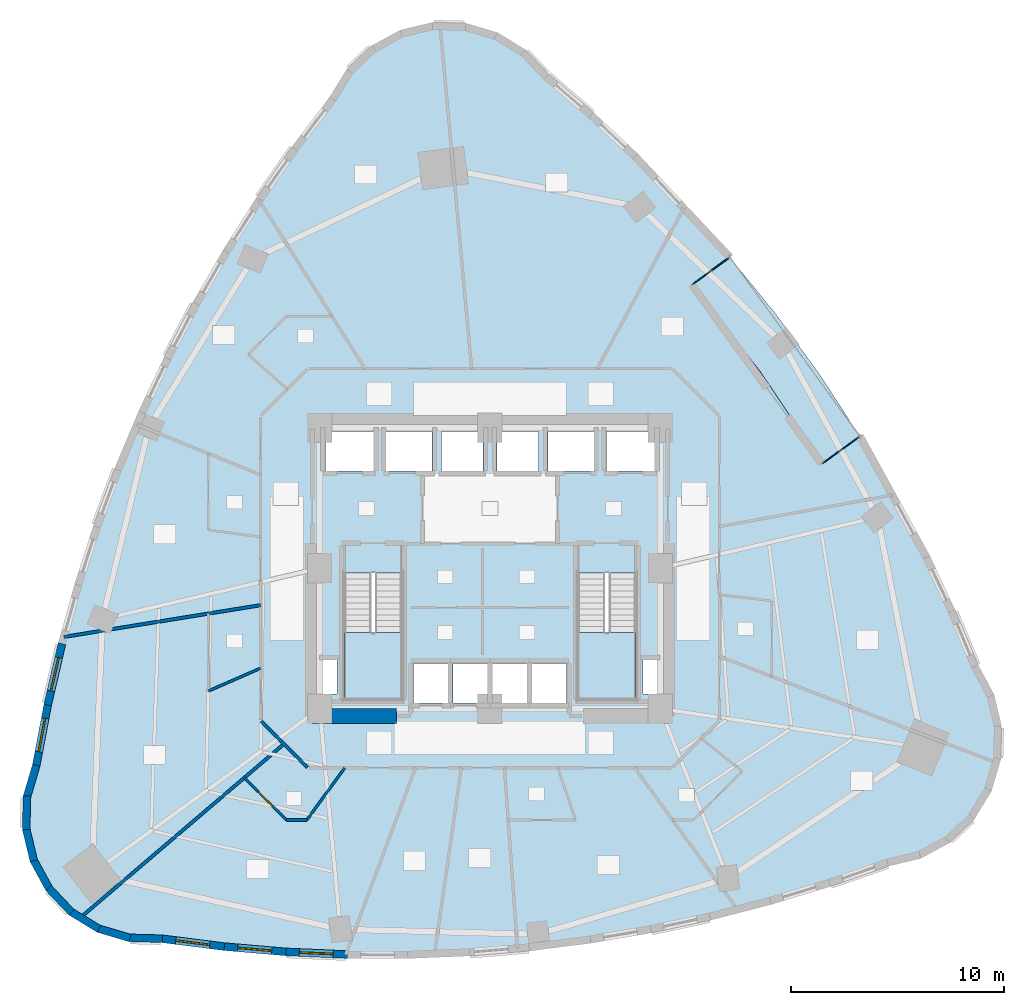
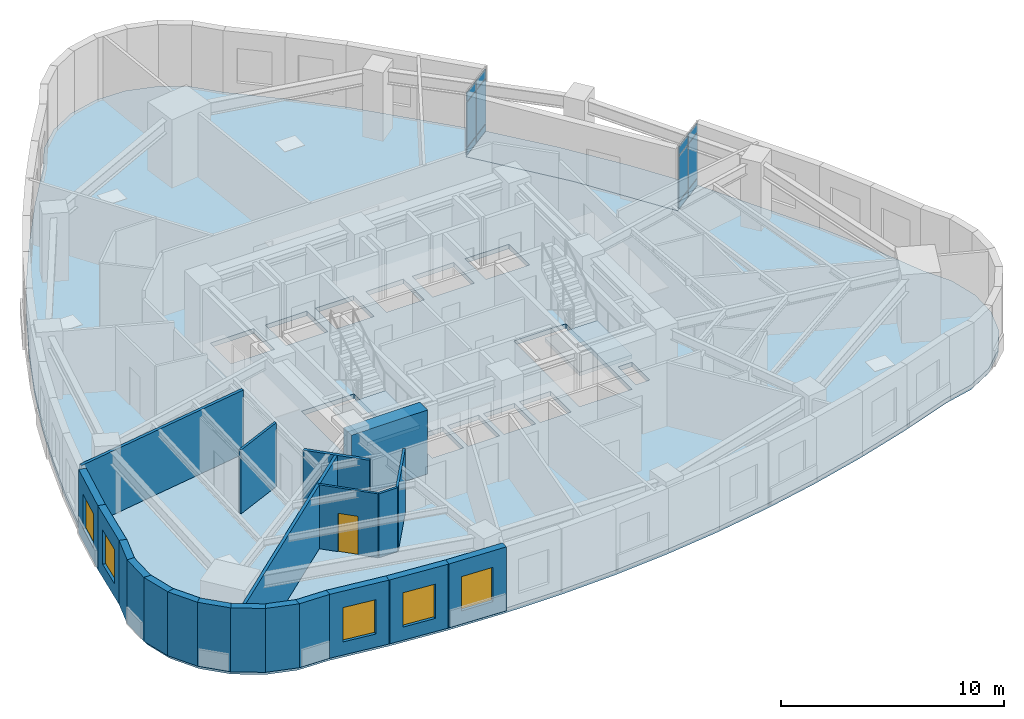
# One storey, part 7 of 15: 21 walls, 12 plates, 5 windows, 4 slabs, 1 door, 6 openings, 4 elements without a shape of their own.
"""IFC4 building model written with IfcOpenShell, lengths in metres."""

import ifcopenshell
import ifcopenshell.guid

model = None  # the IFC model being written
_history = None  # IfcOwnerHistory: only IFC2X3 demands one
_inside = {}  # id of a spatial element -> (the spatial element, [elements in it])
_under = {}  # id of a project, library or spatial element -> (it, [spatial elements below it])
_declared = {}  # id of a project -> (the project, [libraries it declares])
_typed = {}  # id of a type object -> (the type object, [elements of that type])
_made_of = {}  # id of a material, layer set ... -> (it, [elements and type objects made of it])


def new_model(schema):
    """Start an empty IFC model of exactly this schema.

    Asked for "IFC4X3", IfcOpenShell would pick the latest addendum, in which some entities
    have other attributes; the version numbers below select the first issue.
    IFC2X3 requires an IfcOwnerHistory on every rooted entity: one is made here for all.
    """
    global model, _history
    if schema == "IFC4X3":
        model = ifcopenshell.file(schema_version=(4, 3, 0, 0))
    else:
        model = ifcopenshell.file(schema=schema)
    _inside.clear()
    _under.clear()
    _declared.clear()
    _typed.clear()
    _made_of.clear()
    _history = None
    if model.schema == "IFC2X3":
        org = make("IfcOrganization", Name="unknown")
        user = make(
            "IfcPersonAndOrganization",
            ThePerson=make("IfcPerson", FamilyName="unknown"),
            TheOrganization=org,
        )
        app = make(
            "IfcApplication",
            ApplicationDeveloper=org,
            Version="unknown",
            ApplicationFullName="unknown",
            ApplicationIdentifier="unknown",
        )
        _history = make(
            "IfcOwnerHistory",
            OwningUser=user,
            OwningApplication=app,
            ChangeAction="ADDED",
            CreationDate=0,
        )
    return model


def make(cls, **values):
    """One entity of the class cls with the attributes given. An attribute that is None is left unset."""
    return model.create_entity(
        cls, **{name: value for name, value in values.items() if value is not None}
    )


def rooted(cls, **values):
    """An entity with a GlobalId (a new one), such as an element, a storey or a relation."""
    return make(cls, GlobalId=ifcopenshell.guid.new(), OwnerHistory=_history, **values)


def si_unit(unit_type, name, prefix=None):
    """IfcSIUnit, for example si_unit("LENGTHUNIT", "METRE", prefix="MILLI")."""
    return make("IfcSIUnit", UnitType=unit_type, Prefix=prefix, Name=name)


def assignment(units):
    """IfcUnitAssignment: the units of a project."""
    return None if units is None else make("IfcUnitAssignment", Units=units)


def point(xyz):
    """IfcCartesianPoint."""
    return None if xyz is None else make("IfcCartesianPoint", Coordinates=xyz)


def direction(xyz):
    """IfcDirection."""
    return None if xyz is None else make("IfcDirection", DirectionRatios=xyz)


def frame(location, z_axis=None, x_axis=None):
    """IfcAxis2Placement3D, a coordinate frame: its origin and axes. An axis left out is left unset."""
    return make(
        "IfcAxis2Placement3D",
        Location=point(location),
        Axis=direction(z_axis),
        RefDirection=direction(x_axis),
    )


def frame_2d(location, x_axis=None):
    """IfcAxis2Placement2D, a coordinate frame in the plane: its origin and x axis."""
    return make(
        "IfcAxis2Placement2D", Location=point(location), RefDirection=direction(x_axis)
    )


def origin():
    """The frame at (0, 0, 0) with its axes left unset."""
    return frame((0.0, 0.0, 0.0))


def origin_2d():
    """The frame at (0, 0) in the plane with its x axis left unset."""
    return frame_2d((0.0, 0.0))


def place(relative_to, where):
    """IfcLocalPlacement: puts the frame where relative to a parent placement (None: the world)."""
    return make(
        "IfcLocalPlacement", PlacementRelTo=relative_to, RelativePlacement=where
    )


def context(
    kind, dimensions, precision=None, world=None, true_north=None, identifier=None
):
    """IfcGeometricRepresentationContext, for example the 3D "Model" context."""
    return make(
        "IfcGeometricRepresentationContext",
        ContextIdentifier=identifier,
        ContextType=kind,
        CoordinateSpaceDimension=dimensions,
        Precision=precision,
        WorldCoordinateSystem=world,
        TrueNorth=true_north,
    )


def subcontext(parent, identifier, kind, view, scale=None):
    """IfcGeometricRepresentationSubContext, for example "Body" below "Model"."""
    return make(
        "IfcGeometricRepresentationSubContext",
        ContextIdentifier=identifier,
        ContextType=kind,
        ParentContext=parent,
        TargetScale=scale,
        TargetView=view,
    )


def project(units=None, contexts=None):
    """IfcProject with its units and contexts."""
    return rooted(
        "IfcProject",
        Name="project",
        RepresentationContexts=contexts,
        UnitsInContext=assignment(units),
    )


def spatial(cls, under=None, at=None, **own):
    """A site, building, storey or space (cls), placed at a placement, below another one or the project."""
    s = rooted(cls, ObjectPlacement=at, **own)
    if under is not None:
        _under.setdefault(under.id(), (under, []))[1].append(s)
    return s


def polyline(points):
    """IfcPolyline through the points."""
    return make("IfcPolyline", Points=[point(p) for p in points])


def profile(cls, at=None, kind="AREA", **sizes):
    """A parametric profile (cls). Its sizes go by their IFC names, for example OverallWidth=200.0."""
    return make(cls, ProfileType=kind, Position=at, **sizes)


def rectangle(**sizes):
    """IfcRectangleProfileDef."""
    return profile("IfcRectangleProfileDef", **sizes)


def outline(outer, holes=None, kind="AREA"):
    """IfcArbitraryClosedProfileDef: a profile drawn as a closed curve; with holes, ...WithVoids."""
    if holes is None:
        return make("IfcArbitraryClosedProfileDef", ProfileType=kind, OuterCurve=outer)
    return make(
        "IfcArbitraryProfileDefWithVoids",
        ProfileType=kind,
        OuterCurve=outer,
        InnerCurves=holes,
    )


def extrude(swept, where, along, depth):
    """IfcExtrudedAreaSolid: the profile swept, set in the frame where, extruded along a direction by depth."""
    return make(
        "IfcExtrudedAreaSolid",
        SweptArea=swept,
        Position=where,
        ExtrudedDirection=direction(along),
        Depth=depth,
    )


def shape(context_of_items, identifier, shape_type, items):
    """IfcShapeRepresentation: the items that make up one representation, for example the "Body"."""
    return make(
        "IfcShapeRepresentation",
        ContextOfItems=context_of_items,
        RepresentationIdentifier=identifier,
        RepresentationType=shape_type,
        Items=items,
    )


def material(Name=None, Category=None):
    """IfcMaterial."""
    return make("IfcMaterial", Name=Name, Category=Category)


def layer(
    of_material, thickness, ventilated=None, Name=None, Category=None, Priority=None
):
    """IfcMaterialLayer: one layer of a wall or slab, of a material (None: an air gap)."""
    return make(
        "IfcMaterialLayer",
        Material=of_material,
        LayerThickness=thickness,
        IsVentilated=ventilated,
        Name=Name,
        Category=Category,
        Priority=Priority,
    )


def layer_set(layers, Name=None):
    """IfcMaterialLayerSet."""
    return make("IfcMaterialLayerSet", MaterialLayers=layers, LayerSetName=Name)


def made_of(thing, what):
    """Note that an element or type object is made of a material, layer set ...; save() writes the relation."""
    if what is not None:
        _made_of.setdefault(what.id(), (what, []))[1].append(thing)
    return thing


def type_object(cls, material=None, **own):
    """A type object (cls), such as IfcWallType, which elements share."""
    return made_of(rooted(cls, **own), material)


def element(
    cls,
    number,
    at=None,
    inside=None,
    cuts=None,
    type_object=None,
    material=None,
    context=None,
    identifier="Body",
    shape_type=None,
    held_by="IfcProductDefinitionShape",
    body=None,
    shapes=None,
    **own,
):
    """One element of the class cls, such as IfcWall. Its Tag is "e" and its number.

    at: its placement. inside: the storey or other place that contains it. cuts: it is an
    opening in that element (IfcRelVoidsElement). A single representation is given by context,
    identifier, shape_type and body (its items); several are given by shapes. held_by: the class
    of the entity that holds the representations. save() writes the other relations.
    """
    e = rooted(cls, Tag="e%d" % number, ObjectPlacement=at, **own)
    if body is not None:
        shapes = [shape(context, identifier, shape_type, body)]
    if shapes is not None:
        e.Representation = make(held_by, Representations=shapes)
    if inside is not None:
        _inside.setdefault(inside.id(), (inside, []))[1].append(e)
    if cuts is not None:
        rooted(
            "IfcRelVoidsElement", RelatingBuildingElement=cuts, RelatedOpeningElement=e
        )
    if type_object is not None:
        _typed.setdefault(type_object.id(), (type_object, []))[1].append(e)
    return made_of(e, material)


def fill(opening, filler):
    """IfcRelFillsElement: the door or window that sits in an opening."""
    return rooted(
        "IfcRelFillsElement",
        RelatingOpeningElement=opening,
        RelatedBuildingElement=filler,
    )


def aggregate(whole, parts):
    """IfcRelAggregates: a whole, such as a stair, and the parts it consists of."""
    return rooted("IfcRelAggregates", RelatingObject=whole, RelatedObjects=parts)


def save(model, path):
    """Write the relations noted so far, then the file.

    IfcRelAggregates (storeys below a building ...), IfcRelContainedInSpatialStructure (elements
    in a storey), IfcRelDefinesByType, IfcRelAssociatesMaterial and IfcRelDeclares: one each for
    every whole, place, type object, material and project.
    """
    for whole, parts in _under.values():
        aggregate(whole, parts)
    for where, things in _inside.values():
        rooted(
            "IfcRelContainedInSpatialStructure",
            RelatedElements=things,
            RelatingStructure=where,
        )
    for kind, things in _typed.values():
        rooted("IfcRelDefinesByType", RelatedObjects=things, RelatingType=kind)
    for what, things in _made_of.values():
        rooted("IfcRelAssociatesMaterial", RelatedObjects=things, RelatingMaterial=what)
    for by, libraries in _declared.values():
        rooted("IfcRelDeclares", RelatingContext=by, RelatedDefinitions=libraries)
    model.write(path)


model = new_model("IFC4")

# Units and contexts
model_context = context("Model", 3, precision=1e-05, world=origin(), true_north=direction((0.0, 1.0)))
body_context = subcontext(model_context, "Body", "Model", "MODEL_VIEW")
ifc_project = project(units=[si_unit("LENGTHUNIT", "METRE"), si_unit("AREAUNIT", "SQUARE_METRE"), si_unit("VOLUMEUNIT", "CUBIC_METRE"), si_unit("PLANEANGLEUNIT", "RADIAN"), si_unit("MASSUNIT", "GRAM", prefix="KILO")], contexts=[model_context])

# Site, building, storey
site_placement = place(None, origin())
site = spatial("IfcSite", under=ifc_project, at=site_placement, CompositionType="ELEMENT")
building_placement = place(site_placement, origin())
building = spatial("IfcBuilding", under=site, at=building_placement, Name="Ndelora Gate Hotel", CompositionType="ELEMENT")
storey_placement = place(building_placement, frame((0.0, 0.0, 53.0)))
storey = spatial("IfcBuildingStorey", under=building, at=storey_placement, Name="L12", CompositionType="ELEMENT", Elevation=53.0)

# Curtain wall, plates
ifc_material_1 = material(Name="Bronze Anodised Unitised Aluminium and Low-E Glass", Category="aluminium")
ifc_layer_1 = layer(ifc_material_1, 0.199951171875)
ifc_layer_set_1 = layer_set([ifc_layer_1], Name="Bronze Anodised Unitised Aluminium and Low-E Glass")
curtain_wall_type = type_object("IfcCurtainWallType", Name="CW-SYS-3", PredefinedType="NOTDEFINED", material=ifc_layer_set_1)
curtain_wall_1_placement = place(storey_placement, origin())
curtain_wall_1 = element("IfcCurtainWall", 1, at=curtain_wall_1_placement, inside=storey, type_object=curtain_wall_type, Name="L12 Sky-Garden Loggia Side Curtain Wall CW3-1", PredefinedType="NOTDEFINED")
ifc_material_2 = material(Name="Solar-Control Low-E Insulated Glazing", Category="glass")
ifc_layer_2 = layer(ifc_material_2, 0.048095703125)
ifc_layer_set_2 = layer_set([ifc_layer_2], Name="Solar-Control Low-E Insulated Glazing")
plate_type = type_object("IfcPlateType", Name="PL-CW-GLZ36", PredefinedType="CURTAIN_PANEL", material=ifc_layer_set_2)
plate_1_placement = place(storey_placement, frame((16.055908203125, 5.237548828125, 0.05908203125), z_axis=(0.0, 0.0, 1.0), x_axis=(0.809017078969, 0.587785135859, 0.0)))
plate_1 = element("IfcPlate", 2, at=plate_1_placement, type_object=plate_type, Name="CW3 panel 1.1", PredefinedType="CURTAIN_PANEL", context=body_context, shape_type="SweptSolid", body=[
    extrude(rectangle(XDim=1.014404296875, YDim=0.048095703125, at=origin_2d()), origin(), (0.0, 0.0, 1.0), 0.364501953125),
])
plate_2_placement = place(storey_placement, frame((16.055908203125, 5.237548828125, 0.4765625), z_axis=(0.0, 0.0, 1.0), x_axis=(0.809017078969, 0.587785135859, 0.0)))
plate_2 = element("IfcPlate", 3, at=plate_2_placement, type_object=plate_type, Name="CW3 panel 1.2", PredefinedType="CURTAIN_PANEL", context=body_context, shape_type="SweptSolid", body=[
    extrude(rectangle(XDim=1.014404296875, YDim=0.048095703125, at=origin_2d()), origin(), (0.0, 0.0, 1.0), 2.447021484375),
])
plate_3_placement = place(storey_placement, frame((16.055908203125, 5.237548828125, 2.9765625), z_axis=(0.0, 0.0, 1.0), x_axis=(0.809017078969, 0.587785135859, 0.0)))
plate_3 = element("IfcPlate", 4, at=plate_3_placement, type_object=plate_type, Name="CW3 panel 1.3", PredefinedType="CURTAIN_PANEL", context=body_context, shape_type="SweptSolid", body=[
    extrude(rectangle(XDim=1.014404296875, YDim=0.048095703125, at=origin_2d()), origin(), (0.0, 0.0, 1.0), 0.464599609375),
])
plate_4_placement = place(storey_placement, frame((16.91943359375, 5.864990234375, 0.05908203125), z_axis=(0.0, 0.0, 1.0), x_axis=(0.809017078969, 0.587785135859, 0.0)))
plate_4 = element("IfcPlate", 5, at=plate_4_placement, type_object=plate_type, Name="CW3 panel 2.1", PredefinedType="CURTAIN_PANEL", context=body_context, shape_type="SweptSolid", body=[
    extrude(rectangle(XDim=1.014404296875, YDim=0.048095703125, at=origin_2d()), origin(), (0.0, 0.0, 1.0), 0.364501953125),
])
plate_5_placement = place(storey_placement, frame((16.91943359375, 5.864990234375, 0.4765625), z_axis=(0.0, 0.0, 1.0), x_axis=(0.809017078969, 0.587785135859, 0.0)))
plate_5 = element("IfcPlate", 6, at=plate_5_placement, type_object=plate_type, Name="CW3 panel 2.2", PredefinedType="CURTAIN_PANEL", context=body_context, shape_type="SweptSolid", body=[
    extrude(rectangle(XDim=1.014404296875, YDim=0.048095703125, at=origin_2d()), origin(), (0.0, 0.0, 1.0), 2.447021484375),
])
plate_6_placement = place(storey_placement, frame((16.91943359375, 5.864990234375, 2.9765625), z_axis=(0.0, 0.0, 1.0), x_axis=(0.809017078969, 0.587785135859, 0.0)))
plate_6 = element("IfcPlate", 7, at=plate_6_placement, type_object=plate_type, Name="CW3 panel 2.3", PredefinedType="CURTAIN_PANEL", context=body_context, shape_type="SweptSolid", body=[
    extrude(rectangle(XDim=1.014404296875, YDim=0.048095703125, at=origin_2d()), origin(), (0.0, 0.0, 1.0), 0.464599609375),
])
aggregate(curtain_wall_1, [plate_1, plate_2, plate_3, plate_4, plate_5, plate_6])

curtain_wall_2_placement = place(storey_placement, origin())
curtain_wall_2 = element("IfcCurtainWall", 8, at=curtain_wall_2_placement, inside=storey, type_object=curtain_wall_type, Name="L12 Sky-Garden Loggia Side Curtain Wall CW3-2", PredefinedType="NOTDEFINED")
plate_7_placement = place(storey_placement, frame((10.806396484375, 14.27880859375, 0.05908203125), z_axis=(0.0, 0.0, 1.0), x_axis=(-0.809017078969, -0.587785135859, 0.0)))
plate_7 = element("IfcPlate", 9, at=plate_7_placement, type_object=plate_type, Name="CW3 panel 1.1", PredefinedType="CURTAIN_PANEL", context=body_context, shape_type="SweptSolid", body=[
    extrude(rectangle(XDim=1.014404296875, YDim=0.048095703125, at=origin_2d()), origin(), (0.0, 0.0, 1.0), 0.364501953125),
])
plate_8_placement = place(storey_placement, frame((10.806396484375, 14.27880859375, 0.4765625), z_axis=(0.0, 0.0, 1.0), x_axis=(-0.809017078969, -0.587785135859, 0.0)))
plate_8 = element("IfcPlate", 10, at=plate_8_placement, type_object=plate_type, Name="CW3 panel 1.2", PredefinedType="CURTAIN_PANEL", context=body_context, shape_type="SweptSolid", body=[
    extrude(rectangle(XDim=1.014404296875, YDim=0.048095703125, at=origin_2d()), origin(), (0.0, 0.0, 1.0), 2.447021484375),
])
plate_9_placement = place(storey_placement, frame((10.806396484375, 14.27880859375, 2.9765625), z_axis=(0.0, 0.0, 1.0), x_axis=(-0.809017078969, -0.587785135859, 0.0)))
plate_9 = element("IfcPlate", 11, at=plate_9_placement, type_object=plate_type, Name="CW3 panel 1.3", PredefinedType="CURTAIN_PANEL", context=body_context, shape_type="SweptSolid", body=[
    extrude(rectangle(XDim=1.014404296875, YDim=0.048095703125, at=origin_2d()), origin(), (0.0, 0.0, 1.0), 0.464599609375),
])
plate_10_placement = place(storey_placement, frame((9.94287109375, 13.6513671875, 0.05908203125), z_axis=(0.0, 0.0, 1.0), x_axis=(-0.809017078969, -0.587785135859, 0.0)))
plate_10 = element("IfcPlate", 12, at=plate_10_placement, type_object=plate_type, Name="CW3 panel 2.1", PredefinedType="CURTAIN_PANEL", context=body_context, shape_type="SweptSolid", body=[
    extrude(rectangle(XDim=1.014404296875, YDim=0.048095703125, at=origin_2d()), origin(), (0.0, 0.0, 1.0), 0.364501953125),
])
plate_11_placement = place(storey_placement, frame((9.94287109375, 13.6513671875, 0.4765625), z_axis=(0.0, 0.0, 1.0), x_axis=(-0.809017078969, -0.587785135859, 0.0)))
plate_11 = element("IfcPlate", 13, at=plate_11_placement, type_object=plate_type, Name="CW3 panel 2.2", PredefinedType="CURTAIN_PANEL", context=body_context, shape_type="SweptSolid", body=[
    extrude(rectangle(XDim=1.014404296875, YDim=0.048095703125, at=origin_2d()), origin(), (0.0, 0.0, 1.0), 2.447021484375),
])
plate_12_placement = place(storey_placement, frame((9.94287109375, 13.6513671875, 2.9765625), z_axis=(0.0, 0.0, 1.0), x_axis=(-0.809017078969, -0.587785135859, 0.0)))
plate_12 = element("IfcPlate", 14, at=plate_12_placement, type_object=plate_type, Name="CW3 panel 2.3", PredefinedType="CURTAIN_PANEL", context=body_context, shape_type="SweptSolid", body=[
    extrude(rectangle(XDim=1.014404296875, YDim=0.048095703125, at=origin_2d()), origin(), (0.0, 0.0, 1.0), 0.464599609375),
])
aggregate(curtain_wall_2, [plate_7, plate_8, plate_9, plate_10, plate_11, plate_12])

# Stair, slab
ifc_material_3 = material(Name="Precast concrete C40/50", Category="concrete")
stair_type = type_object("IfcStairType", Name="STR-DOG-CORE", PredefinedType="HALF_TURN_STAIR", material=ifc_material_3)
stair_1_placement = place(storey_placement, origin())
stair_1 = element("IfcStair", 15, at=stair_1_placement, inside=storey, type_object=stair_type, Name="L12 Protected Core Exit Stair ST4", PredefinedType="HALF_TURN_STAIR")
ifc_layer_3 = layer(ifc_material_3, 0.219970703125)
ifc_layer_set_3 = layer_set([ifc_layer_3], Name="Precast concrete C40/50")
slab_type_1 = type_object("IfcSlabType", Name="SL-LAND-220", PredefinedType="LANDING", material=ifc_layer_set_3)
slab_1_placement = place(storey_placement, frame((0.0, 0.0, 1.675048828125)))
slab_1 = element("IfcSlab", 16, at=slab_1_placement, type_object=slab_type_1, Name="ST4 landing 1", PredefinedType="LANDING", context=body_context, shape_type="SweptSolid", body=[
    extrude(outline(polyline([(-6.85009765625, -3.030029296875), (-6.85009765625, -6.14990234375), (-4.1298828125, -6.14990234375), (-4.1298828125, -3.030029296875), (-6.85009765625, -3.030029296875)])), origin(), (0.0, 0.0, 1.0), 0.199951171875),
])
aggregate(stair_1, [slab_1])

stair_2_placement = place(storey_placement, origin())
stair_2 = element("IfcStair", 17, at=stair_2_placement, inside=storey, type_object=stair_type, Name="L12 Protected Core Exit Stair ST5", PredefinedType="HALF_TURN_STAIR")
slab_2_placement = place(storey_placement, frame((0.0, 0.0, 1.675048828125)))
slab_2 = element("IfcSlab", 18, at=slab_2_placement, type_object=slab_type_1, Name="ST5 landing 1", PredefinedType="LANDING", context=body_context, shape_type="SweptSolid", body=[
    extrude(outline(polyline([(4.1298828125, -3.030029296875), (4.1298828125, -6.14990234375), (6.85009765625, -6.14990234375), (6.85009765625, -3.030029296875), (4.1298828125, -3.030029296875)])), origin(), (0.0, 0.0, 1.0), 0.199951171875),
])
aggregate(stair_2, [slab_2])

# Slabs
ifc_layer_4 = layer(ifc_material_3, 0.239990234375)
ifc_layer_set_4 = layer_set([ifc_layer_4], Name="Precast concrete C40/50")
slab_type_2 = type_object("IfcSlabType", Name="SL-TER-240", PredefinedType="FLOOR", material=ifc_layer_set_4)
slab_3_placement = place(storey_placement, frame((0.0, 0.0, -0.239990234375)))
element("IfcSlab", 19, at=slab_3_placement, inside=storey, type_object=slab_type_2, Name="L12 Sky Garden Loggia Terrace Slab", PredefinedType="FLOOR", context=body_context, shape_type="SweptSolid", body=[
    extrude(outline(polyline([(15.59765625, 4.90478515625), (17.37744140625, 6.197998046875), (15.5048828125, 9.07958984375), (13.426513671875, 11.940185546875), (11.264404296875, 14.61181640625), (9.484619140625, 13.318603515625), (12.70458984375, 9.23046875), (15.59765625, 4.90478515625)])), origin(), (0.0, 0.0, 1.0), 0.239990234375),
])
ifc_material_4 = material(Name="Concrete C40/50", Category="concrete")
ifc_layer_5 = layer(ifc_material_4, 0.25)
ifc_layer_set_5 = layer_set([ifc_layer_5], Name="Concrete C40/50")
slab_type_3 = type_object("IfcSlabType", Name="SL-TWR-250", PredefinedType="FLOOR", material=ifc_layer_set_5)
slab_4_placement = place(storey_placement, frame((0.0, 0.0, -0.25)))
element("IfcSlab", 20, at=slab_4_placement, inside=storey, type_object=slab_type_3, Name="L12 Structural Floor Slab", PredefinedType="FLOOR", context=body_context, shape_type="SweptSolid", body=[
    extrude(outline(polyline([(2.621826171875, 23.1083984375), (1.57958984375, 24.206787109375), (0.28857421875, 24.997802734375), (-1.1630859375, 25.427978515625), (-2.6767578125, 25.467529296875), (-4.14892578125, 25.114013671875), (-5.4794921875, 24.3916015625), (-6.577880859375, 23.349365234375), (-7.368896484375, 22.058349609375), (-9.14599609375, 19.719970703125), (-10.811279296875, 17.331787109375), (-12.364990234375, 14.89404296875), (-13.806884765625, 12.406494140625), (-15.137451171875, 9.869140625), (-16.356201171875, 7.2822265625), (-17.463134765625, 4.6455078125), (-18.45849609375, 1.958984375), (-19.34228515625, -0.777099609375), (-20.1142578125, -3.56298828125), (-20.774658203125, -6.3984375), (-21.323486328125, -9.28369140625), (-21.75341796875, -10.7353515625), (-21.793212890625, -12.2490234375), (-21.439697265625, -13.72119140625), (-20.71728515625, -15.052001953125), (-19.6748046875, -16.150146484375), (-18.384033203125, -16.94140625), (-16.93212890625, -17.371337890625), (-15.418701171875, -17.410888671875), (-12.5048828125, -17.78076171875), (-9.604248046875, -18.02880859375), (-6.716064453125, -18.155517578125), (-3.8408203125, -18.160400390625), (-0.978271484375, -18.0439453125), (1.87158203125, -17.805908203125), (4.70849609375, -17.4462890625), (7.53271484375, -16.965087890625), (10.343994140625, -16.3623046875), (13.142578125, -15.637939453125), (15.9287109375, -14.792236328125), (18.70166015625, -13.82470703125), (20.173828125, -13.47119140625), (21.50439453125, -12.748779296875), (22.602783203125, -11.70654296875), (23.393798828125, -10.415771484375), (23.823974609375, -8.9638671875), (23.863525390625, -7.4501953125), (23.510009765625, -5.97802734375), (22.78759765625, -4.6474609375), (21.698486328125, -2.04638671875), (20.51806640625, 0.48876953125), (17.37744140625, 6.197998046875), (15.59765625, 4.90478515625), (12.70458984375, 9.23046875), (9.484619140625, 13.318603515625), (11.264404296875, 14.61181640625), (6.80517578125, 19.36279296875), (4.759033203125, 21.268798828125), (2.621826171875, 23.1083984375)]), holes=[polyline([(-6.85009765625, -0.22998046875), (-6.85009765625, -6.14990234375), (-4.1298828125, -6.14990234375), (-4.1298828125, -0.22998046875), (-6.85009765625, -0.22998046875)]), polyline([(4.1298828125, -0.22998046875), (4.1298828125, -6.14990234375), (6.85009765625, -6.14990234375), (6.85009765625, -0.22998046875), (4.1298828125, -0.22998046875)]), polyline([(-7.72998046875, 4.570068359375), (-5.469970703125, 4.570068359375), (-5.469970703125, 6.429931640625), (-7.72998046875, 6.429931640625), (-7.72998046875, 4.570068359375)]), polyline([(5.469970703125, 4.570068359375), (7.72998046875, 4.570068359375), (7.72998046875, 6.429931640625), (5.469970703125, 6.429931640625), (5.469970703125, 4.570068359375)]), polyline([(-4.8798828125, 4.570068359375), (-2.719970703125, 4.570068359375), (-2.719970703125, 6.429931640625), (-4.8798828125, 6.429931640625), (-4.8798828125, 4.570068359375)]), polyline([(2.719970703125, 4.570068359375), (4.8798828125, 4.570068359375), (4.8798828125, 6.429931640625), (2.719970703125, 6.429931640625), (2.719970703125, 4.570068359375)]), polyline([(-3.60009765625, -6.330078125), (-1.97998046875, -6.330078125), (-1.97998046875, -4.469970703125), (-3.60009765625, -4.469970703125), (-3.60009765625, -6.330078125)]), polyline([(-1.739990234375, -6.330078125), (-0.1201171875, -6.330078125), (-0.1201171875, -4.469970703125), (-1.739990234375, -4.469970703125), (-1.739990234375, -6.330078125)]), polyline([(0.1201171875, -6.330078125), (1.739990234375, -6.330078125), (1.739990234375, -4.469970703125), (0.1201171875, -4.469970703125), (0.1201171875, -6.330078125)]), polyline([(1.97998046875, -6.330078125), (3.60009765625, -6.330078125), (3.60009765625, -4.469970703125), (1.97998046875, -4.469970703125), (1.97998046875, -6.330078125)]), polyline([(-2.280029296875, 4.570068359375), (-0.320068359375, 4.570068359375), (-0.320068359375, 6.429931640625), (-2.280029296875, 6.429931640625), (-2.280029296875, 4.570068359375)]), polyline([(0.320068359375, 4.570068359375), (2.280029296875, 4.570068359375), (2.280029296875, 6.429931640625), (0.320068359375, 6.429931640625), (0.320068359375, 4.570068359375)]), polyline([(-7.89990234375, -5.919921875), (-7.179931640625, -5.919921875), (-7.179931640625, -4.320068359375), (-7.89990234375, -4.320068359375), (-7.89990234375, -5.919921875)]), polyline([(7.179931640625, -5.919921875), (7.89990234375, -5.919921875), (7.89990234375, -4.320068359375), (7.179931640625, -4.320068359375), (7.179931640625, -5.919921875)])]), origin(), (0.0, 0.0, 1.0), 0.25),
])

# Wall, opening, window
ifc_material_5 = material(Name="Clay Brick Masonry", Category="masonry")
ifc_layer_6 = layer(ifc_material_5, 0.360107421875)
ifc_layer_set_6 = layer_set([ifc_layer_6], Name="Clay Brick Masonry")
wall_type_1 = type_object("IfcWallType", Name="WL-BRICK-360", PredefinedType="SOLIDWALL", material=ifc_layer_set_6)
wall_1_placement = place(storey_placement, frame((-20.780517578125, -6.422607421875, 0.0), z_axis=(0.0, 0.0, 1.0), x_axis=(0.226888180994, 0.97392081471, 0.0)))
wall_1 = element("IfcWall", 21, at=wall_1_placement, inside=storey, type_object=wall_type_1, Name="L12 Tower Brick Pier-and-Spandrel Wall TWR-19", PredefinedType="SOLIDWALL", context=body_context, shape_type="SweptSolid", body=[
    extrude(rectangle(XDim=2.961181640625, YDim=0.360107421875, at=frame_2d((1.48046875, 0.0))), origin(), (0.0, 0.0, 1.0), 3.5),
])
opening_1_placement = place(wall_1_placement, frame((0.6806640625, 0.0, 0.719970703125)))
opening_1 = element("IfcOpeningElement", 22, at=opening_1_placement, cuts=wall_1, Name="Opening W01", PredefinedType="OPENING", context=body_context, shape_type="SweptSolid", body=[
    extrude(rectangle(XDim=1.60009765625, YDim=1.8798828125, at=frame_2d((0.800048828125, 0.93994140625))), frame((0.0, 0.18994140625, 0.0), z_axis=(0.0, -1.0, 0.0), x_axis=(1.0, 0.0, 0.0)), (0.0, 0.0, 1.0), 0.380126953125),
])
ifc_material_6 = material(Name="Insulated Low-E Double Glazing in Bronze Aluminium Frame", Category="aluminium")
window_type_1 = type_object("IfcWindowType", Name="WN-DEEP-1600", PartitioningType="SINGLE_PANEL", PredefinedType="WINDOW", material=ifc_material_6)
window_1_placement = place(opening_1_placement, origin())
window_1 = element("IfcWindow", 23, at=window_1_placement, inside=storey, type_object=window_type_1, Name="L12 Deep-Set Brick-Pier Window W01", OverallHeight=1.8798828125, OverallWidth=1.60009765625, PartitioningType="SINGLE_PANEL", PredefinedType="WINDOW", context=body_context, shape_type="SweptSolid", body=[
    extrude(rectangle(XDim=1.60009765625, YDim=1.8798828125, at=frame_2d((0.800048828125, 0.93994140625))), frame((0.0, 0.030029296875, 0.0), z_axis=(0.0, -1.0, 0.0), x_axis=(1.0, 0.0, 0.0)), (0.0, 0.0, 1.0), 0.06005859375),
])
fill(opening_1, window_1)

wall_2_placement = place(storey_placement, frame((-21.328125, -9.308349609375, 0.0), z_axis=(0.0, 0.0, 1.0), x_axis=(0.186834183521, 0.982391463658, 0.0)))
wall_2 = element("IfcWall", 24, at=wall_2_placement, inside=storey, type_object=wall_type_1, Name="L12 Tower Brick Pier-and-Spandrel Wall TWR-20", PredefinedType="SOLIDWALL", context=body_context, shape_type="SweptSolid", body=[
    extrude(rectangle(XDim=2.987060546875, YDim=0.360107421875, at=frame_2d((1.49365234375, 0.0))), origin(), (0.0, 0.0, 1.0), 3.5),
])
opening_2_placement = place(wall_2_placement, frame((0.693603515625, 0.0, 0.719970703125)))
opening_2 = element("IfcOpeningElement", 25, at=opening_2_placement, cuts=wall_2, Name="Opening W01", PredefinedType="OPENING", context=body_context, shape_type="SweptSolid", body=[
    extrude(rectangle(XDim=1.60009765625, YDim=1.8798828125, at=frame_2d((0.800048828125, 0.93994140625))), frame((0.0, 0.18994140625, 0.0), z_axis=(0.0, -1.0, 0.0), x_axis=(1.0, 0.0, 0.0)), (0.0, 0.0, 1.0), 0.380126953125),
])
window_2_placement = place(opening_2_placement, origin())
window_2 = element("IfcWindow", 26, at=window_2_placement, inside=storey, type_object=window_type_1, Name="L12 Deep-Set Brick-Pier Window W01", OverallHeight=1.8798828125, OverallWidth=1.60009765625, PartitioningType="SINGLE_PANEL", PredefinedType="WINDOW", context=body_context, shape_type="SweptSolid", body=[
    extrude(rectangle(XDim=1.60009765625, YDim=1.8798828125, at=frame_2d((0.800048828125, 0.93994140625))), frame((0.0, 0.030029296875, 0.0), z_axis=(0.0, -1.0, 0.0), x_axis=(1.0, 0.0, 0.0)), (0.0, 0.0, 1.0), 0.06005859375),
])
fill(opening_2, window_2)

# Walls
wall_3_placement = place(storey_placement, frame((-21.760498046875, -10.759521484375, 0.0), z_axis=(0.0, 0.0, 1.0), x_axis=(0.283923577164, 0.958846912875, 0.0)))
element("IfcWall", 27, at=wall_3_placement, inside=storey, type_object=wall_type_1, Name="L12 Tower Brick Pier-and-Spandrel Wall TWR-21", PredefinedType="SOLIDWALL", context=body_context, shape_type="SweptSolid", body=[
    extrude(rectangle(XDim=1.564208984375, YDim=0.360107421875, at=frame_2d((0.7822265625, 0.0))), origin(), (0.0, 0.0, 1.0), 3.5),
])
wall_4_placement = place(storey_placement, frame((-21.793701171875, -12.27392578125, 0.0), z_axis=(0.0, 0.0, 1.0), x_axis=(0.026224581645, 0.999656076517, 0.0)))
element("IfcWall", 28, at=wall_4_placement, inside=storey, type_object=wall_type_1, Name="L12 Tower Brick Pier-and-Spandrel Wall TWR-22", PredefinedType="SOLIDWALL", context=body_context, shape_type="SweptSolid", body=[
    extrude(rectangle(XDim=1.56396484375, YDim=0.360107421875, at=frame_2d((0.781982421875, 0.0))), origin(), (0.0, 0.0, 1.0), 3.5),
])
for number, where, z_axis, x_axis, name in (
    (29, (-21.433837890625, -13.74560546875, 0.0), (0.0, 0.0, 1.0), (-0.233343435998, 0.972394385461, 0.0), "L12 Tower Brick Pier-and-Spandrel Wall TWR-23"),
    (30, (-20.705322265625, -15.073974609375, 0.0), (0.0, 0.0, 1.0), (-0.477112528062, 0.878842213123, 0.0), "L12 Tower Brick Pier-and-Spandrel Wall TWR-24"),
):
    element("IfcWall", number, at=place(storey_placement, frame(where, z_axis=z_axis, x_axis=x_axis)), inside=storey, type_object=wall_type_1, Name=name, PredefinedType="SOLIDWALL", context=body_context, shape_type="SweptSolid", body=[
        extrude(rectangle(XDim=1.564208984375, YDim=0.360107421875, at=frame_2d((0.7822265625, 0.0))), origin(), (0.0, 0.0, 1.0), 3.5),
    ])
for number, where, z_axis, x_axis, name in (
    (31, (-19.65771484375, -16.168212890625, 0.0), (0.0, 0.0, 1.0), (-0.688367852729, 0.725361771345, 0.0), "L12 Tower Brick Pier-and-Spandrel Wall TWR-25"),
    (32, (-18.36279296875, -16.954345703125, 0.0), (0.0, 0.0, 1.0), (-0.852648364001, 0.522485183873, 0.0), "L12 Tower Brick Pier-and-Spandrel Wall TWR-26"),
):
    element("IfcWall", number, at=place(storey_placement, frame(where, z_axis=z_axis, x_axis=x_axis)), inside=storey, type_object=wall_type_1, Name=name, PredefinedType="SOLIDWALL", context=body_context, shape_type="SweptSolid", body=[
        extrude(rectangle(XDim=1.56396484375, YDim=0.360107421875, at=frame_2d((0.781982421875, 0.0))), origin(), (0.0, 0.0, 1.0), 3.5),
    ])
for number, where, z_axis, x_axis, name in (
    (33, (-16.908203125, -17.37841796875, 0.0), (0.0, 0.0, 1.0), (-0.958804410816, 0.284067072714, 0.0), "L12 Tower Brick Pier-and-Spandrel Wall TWR-27"),
    (34, (-15.3935546875, -17.41162109375, 0.0), (0.0, 0.0, 1.0), (-0.999656183846, 0.026220490068, 0.0), "L12 Tower Brick Pier-and-Spandrel Wall TWR-28"),
):
    element("IfcWall", number, at=place(storey_placement, frame(where, z_axis=z_axis, x_axis=x_axis)), inside=storey, type_object=wall_type_1, Name=name, PredefinedType="SOLIDWALL", context=body_context, shape_type="SweptSolid", body=[
        extrude(rectangle(XDim=1.564208984375, YDim=0.360107421875, at=frame_2d((0.7822265625, 0.0))), origin(), (0.0, 0.0, 1.0), 3.5),
    ])

# Wall, opening, window
wall_5_placement = place(storey_placement, frame((-12.480224609375, -17.78369140625, 0.0), z_axis=(0.0, 0.0, 1.0), x_axis=(-0.992056250625, 0.125795053943, 0.0)))
wall_5 = element("IfcWall", 35, at=wall_5_placement, inside=storey, type_object=wall_type_1, Name="L12 Tower Brick Pier-and-Spandrel Wall TWR-29", PredefinedType="SOLIDWALL", context=body_context, shape_type="SweptSolid", body=[
    extrude(rectangle(XDim=2.98681640625, YDim=0.360107421875, at=frame_2d((1.493408203125, 0.0))), origin(), (0.0, 0.0, 1.0), 3.5),
])
opening_3_placement = place(wall_5_placement, frame((0.693603515625, 0.0, 0.719970703125)))
opening_3 = element("IfcOpeningElement", 36, at=opening_3_placement, cuts=wall_5, Name="Opening W03", PredefinedType="OPENING", context=body_context, shape_type="SweptSolid", body=[
    extrude(rectangle(XDim=1.60009765625, YDim=1.8798828125, at=frame_2d((0.800048828125, 0.93994140625))), frame((0.0, 0.18994140625, 0.0), z_axis=(0.0, -1.0, 0.0), x_axis=(1.0, 0.0, 0.0)), (0.0, 0.0, 1.0), 0.380126953125),
])
window_type_2 = type_object("IfcWindowType", Name="WN-CORN-2100", PartitioningType="SINGLE_PANEL", PredefinedType="WINDOW", material=ifc_material_6)
window_3_placement = place(opening_3_placement, origin())
window_3 = element("IfcWindow", 37, at=window_3_placement, inside=storey, type_object=window_type_2, Name="L12 Deep-Set Brick-Pier Window W03", OverallHeight=1.8798828125, OverallWidth=1.60009765625, PartitioningType="SINGLE_PANEL", PredefinedType="WINDOW", context=body_context, shape_type="SweptSolid", body=[
    extrude(rectangle(XDim=1.60009765625, YDim=1.8798828125, at=frame_2d((0.800048828125, 0.93994140625))), frame((0.0, 0.030029296875, 0.0), z_axis=(0.0, -1.0, 0.0), x_axis=(1.0, 0.0, 0.0)), (0.0, 0.0, 1.0), 0.06005859375),
])
fill(opening_3, window_3)

wall_6_placement = place(storey_placement, frame((-9.579345703125, -18.031005859375, 0.0), z_axis=(0.0, 0.0, 1.0), x_axis=(-0.996359665783, 0.085249143105, 0.0)))
wall_6 = element("IfcWall", 38, at=wall_6_placement, inside=storey, type_object=wall_type_1, Name="L12 Tower Brick Pier-and-Spandrel Wall TWR-30", PredefinedType="SOLIDWALL", context=body_context, shape_type="SweptSolid", body=[
    extrude(rectangle(XDim=2.961181640625, YDim=0.360107421875, at=frame_2d((1.48046875, 0.0))), origin(), (0.0, 0.0, 1.0), 3.5),
])
opening_4_placement = place(wall_6_placement, frame((0.6806640625, 0.0, 0.719970703125)))
opening_4 = element("IfcOpeningElement", 39, at=opening_4_placement, cuts=wall_6, Name="Opening W01", PredefinedType="OPENING", context=body_context, shape_type="SweptSolid", body=[
    extrude(rectangle(XDim=1.60009765625, YDim=1.8798828125, at=frame_2d((0.800048828125, 0.93994140625))), frame((0.0, 0.18994140625, 0.0), z_axis=(0.0, -1.0, 0.0), x_axis=(1.0, 0.0, 0.0)), (0.0, 0.0, 1.0), 0.380126953125),
])
window_4_placement = place(opening_4_placement, origin())
window_4 = element("IfcWindow", 40, at=window_4_placement, inside=storey, type_object=window_type_1, Name="L12 Deep-Set Brick-Pier Window W01", OverallHeight=1.8798828125, OverallWidth=1.60009765625, PartitioningType="SINGLE_PANEL", PredefinedType="WINDOW", context=body_context, shape_type="SweptSolid", body=[
    extrude(rectangle(XDim=1.60009765625, YDim=1.8798828125, at=frame_2d((0.800048828125, 0.93994140625))), frame((0.0, 0.030029296875, 0.0), z_axis=(0.0, -1.0, 0.0), x_axis=(1.0, 0.0, 0.0)), (0.0, 0.0, 1.0), 0.06005859375),
])
fill(opening_4, window_4)

wall_7_placement = place(storey_placement, frame((-6.691162109375, -18.156494140625, 0.0), z_axis=(0.0, 0.0, 1.0), x_axis=(-0.999038849602, 0.043833514425, 0.0)))
wall_7 = element("IfcWall", 41, at=wall_7_placement, inside=storey, type_object=wall_type_1, Name="L12 Tower Brick Pier-and-Spandrel Wall TWR-31", PredefinedType="SOLIDWALL", context=body_context, shape_type="SweptSolid", body=[
    extrude(rectangle(XDim=2.94091796875, YDim=0.360107421875, at=frame_2d((1.470458984375, 0.0))), origin(), (0.0, 0.0, 1.0), 3.5),
])
opening_5_placement = place(wall_7_placement, frame((0.67041015625, 0.0, 0.719970703125)))
opening_5 = element("IfcOpeningElement", 42, at=opening_5_placement, cuts=wall_7, Name="Opening W01", PredefinedType="OPENING", context=body_context, shape_type="SweptSolid", body=[
    extrude(rectangle(XDim=1.60009765625, YDim=1.8798828125, at=frame_2d((0.800048828125, 0.93994140625))), frame((0.0, 0.18994140625, 0.0), z_axis=(0.0, -1.0, 0.0), x_axis=(1.0, 0.0, 0.0)), (0.0, 0.0, 1.0), 0.380126953125),
])
window_5_placement = place(opening_5_placement, origin())
window_5 = element("IfcWindow", 43, at=window_5_placement, inside=storey, type_object=window_type_1, Name="L12 Deep-Set Brick-Pier Window W01", OverallHeight=1.8798828125, OverallWidth=1.60009765625, PartitioningType="SINGLE_PANEL", PredefinedType="WINDOW", context=body_context, shape_type="SweptSolid", body=[
    extrude(rectangle(XDim=1.60009765625, YDim=1.8798828125, at=frame_2d((0.800048828125, 0.93994140625))), frame((0.0, 0.030029296875, 0.0), z_axis=(0.0, -1.0, 0.0), x_axis=(1.0, 0.0, 0.0)), (0.0, 0.0, 1.0), 0.06005859375),
])
fill(opening_5, window_5)

# Walls
ifc_material_7 = material(Name="Concrete C60/75", Category="concrete")
ifc_layer_7 = layer(ifc_material_7, 0.699951171875)
ifc_layer_set_7 = layer_set([ifc_layer_7], Name="Concrete C60/75")
wall_type_2 = type_object("IfcWallType", Name="WL-CORE-700", PredefinedType="SHEAR", material=ifc_layer_set_7)
wall_8_placement = place(storey_placement, frame((-8.35009765625, -6.949951171875, 0.0), z_axis=(0.0, 0.0, 1.0), x_axis=(1.0, 0.0, 0.0)))
element("IfcWall", 44, at=wall_8_placement, inside=storey, type_object=wall_type_2, Name="L12 Core Shear Wall S-W", PredefinedType="SHEAR", context=body_context, shape_type="SweptSolid", body=[
    extrude(rectangle(XDim=3.9501953125, YDim=0.699951171875, at=frame_2d((1.97509765625, 0.0))), origin(), (0.0, 0.0, 1.0), 3.5),
])
ifc_material_8 = material(Name="Fire-Rated Gypsum Stud Partition", Category="gypsum")
ifc_layer_8 = layer(ifc_material_8, 0.14990234375)
ifc_layer_set_8 = layer_set([ifc_layer_8], Name="Fire-Rated Gypsum Stud Partition")
wall_type_3 = type_object("IfcWallType", Name="WL-PART-150", PredefinedType="PARTITIONING", material=ifc_layer_set_8)
wall_9_placement = place(storey_placement, frame((-8.578369140625, -9.351806640625, 0.0), z_axis=(0.0, 0.0, 1.0), x_axis=(-0.707067066127, 0.707146494016, 0.0)))
element("IfcWall", 45, at=wall_9_placement, inside=storey, type_object=wall_type_3, Name="L12 Interior Wall IW-5", PredefinedType="PARTITIONING", context=body_context, shape_type="SweptSolid", body=[
    extrude(rectangle(XDim=3.07373046875, YDim=0.14990234375, at=frame_2d((1.536865234375, 0.0))), origin(), (0.0, 0.0, 1.0), 3.5),
])
wall_10_placement = place(storey_placement, frame((-10.780029296875, -1.73974609375, 0.0), z_axis=(0.0, 0.0, 1.0), x_axis=(-0.987228687092, -0.159309508134, 0.0)))
element("IfcWall", 46, at=wall_10_placement, inside=storey, type_object=wall_type_3, Name="L12 Interior Wall IW-5", PredefinedType="PARTITIONING", context=body_context, shape_type="SweptSolid", body=[
    extrude(rectangle(XDim=9.362060546875, YDim=0.14990234375, at=frame_2d((4.68115234375, 0.0))), origin(), (0.0, 0.0, 1.0), 3.5),
])
wall_11_placement = place(storey_placement, frame((-9.675048828125, -8.2548828125, 0.0), z_axis=(0.0, 0.0, 1.0), x_axis=(-0.760712977927, -0.649088410937, 0.0)))
element("IfcWall", 47, at=wall_11_placement, inside=storey, type_object=wall_type_3, Name="L12 Interior Wall IW-5", PredefinedType="PARTITIONING", context=body_context, shape_type="SweptSolid", body=[
    extrude(rectangle(XDim=12.573974609375, YDim=0.14990234375, at=frame_2d((6.287109375, 0.0))), origin(), (0.0, 0.0, 1.0), 3.5),
])
ifc_material_9 = material(Name="Moisture-Resistant Bathroom Tile Partition", Category="gypsum")
ifc_layer_9 = layer(ifc_material_9, 0.1201171875)
ifc_layer_set_9 = layer_set([ifc_layer_9], Name="Moisture-Resistant Bathroom Tile Partition")
wall_type_4 = type_object("IfcWallType", Name="WL-WET-120", PredefinedType="PARTITIONING", material=ifc_layer_set_9)
wall_12_placement = place(storey_placement, frame((-10.780029296875, -4.702392578125, 0.0), z_axis=(0.0, 0.0, 1.0), x_axis=(-0.916569813028, -0.399874702684, 0.0)))
element("IfcWall", 48, at=wall_12_placement, inside=storey, type_object=wall_type_4, Name="L12 Interior Wall IW-7", PredefinedType="PARTITIONING", context=body_context, shape_type="SweptSolid", body=[
    extrude(rectangle(XDim=2.6728515625, YDim=0.1201171875, at=frame_2d((1.33642578125, 0.0))), origin(), (0.0, 0.0, 1.0), 3.5),
])
wall_13_placement = place(storey_placement, frame((-8.603759765625, -11.830078125, 0.0), z_axis=(0.0, 0.0, 1.0), x_axis=(0.58812378006, 0.808770931307, 0.0)))
element("IfcWall", 49, at=wall_13_placement, inside=storey, type_object=wall_type_4, Name="L12 Interior Wall IW-7", PredefinedType="PARTITIONING", context=body_context, shape_type="SweptSolid", body=[
    extrude(rectangle(XDim=3.029541015625, YDim=0.1201171875, at=frame_2d((1.5146484375, 0.0))), origin(), (0.0, 0.0, 1.0), 3.5),
])
wall_14_placement = place(storey_placement, frame((-8.603759765625, -11.830078125, 0.0), z_axis=(0.0, 0.0, 1.0), x_axis=(-1.0, 0.0, 0.0)))
element("IfcWall", 50, at=wall_14_placement, inside=storey, type_object=wall_type_4, Name="L12 Interior Wall IW-7", PredefinedType="PARTITIONING", context=body_context, shape_type="SweptSolid", body=[
    extrude(rectangle(XDim=0.9609375, YDim=0.1201171875, at=frame_2d((0.48046875, 0.0))), origin(), (0.0, 0.0, 1.0), 3.5),
])

# Wall, opening, door
wall_15_placement = place(storey_placement, frame((-9.564697265625, -11.830078125, 0.0), z_axis=(0.0, 0.0, 1.0), x_axis=(-0.707150377276, 0.707063182409, 0.0)))
wall_15 = element("IfcWall", 51, at=wall_15_placement, inside=storey, type_object=wall_type_4, Name="L12 Interior Wall IW-7", PredefinedType="PARTITIONING", context=body_context, shape_type="SweptSolid", body=[
    extrude(rectangle(XDim=2.800048828125, YDim=0.1201171875, at=frame_2d((1.39990234375, 0.0))), origin(), (0.0, 0.0, 1.0), 3.5),
])
opening_6_placement = place(wall_15_placement, frame((0.93994140625, 0.0, 0.0)))
opening_6 = element("IfcOpeningElement", 52, at=opening_6_placement, cuts=wall_15, Name="Opening D03", PredefinedType="OPENING", context=body_context, shape_type="SweptSolid", body=[
    extrude(rectangle(XDim=0.919921875, YDim=2.10009765625, at=frame_2d((0.4599609375, 1.050048828125))), frame((0.0, 0.070068359375, 0.0), z_axis=(0.0, -1.0, 0.0), x_axis=(1.0, 0.0, 0.0)), (0.0, 0.0, 1.0), 0.14013671875),
])
ifc_material_10 = material(Name="Moisture-Resistant Hardwood En-Suite Door", Category="wood")
door_type = type_object("IfcDoorType", Name="DR-BATH-920", OperationType="SINGLE_SWING_LEFT", PredefinedType="DOOR", material=ifc_material_10)
door_placement = place(opening_6_placement, origin())
door = element("IfcDoor", 53, at=door_placement, inside=storey, type_object=door_type, Name="L12 En-suite Bathroom 1507 Door", OperationType="SINGLE_SWING_RIGHT", OverallHeight=2.10009765625, OverallWidth=0.919921875, PredefinedType="DOOR", context=body_context, shape_type="SweptSolid", body=[
    extrude(rectangle(XDim=0.919921875, YDim=2.10009765625, at=frame_2d((0.4599609375, 1.050048828125))), frame((0.0, 0.02490234375, 0.0), z_axis=(0.0, -1.0, 0.0), x_axis=(1.0, 0.0, 0.0)), (0.0, 0.0, 1.0), 0.050048828125),
])
fill(opening_6, door)

save(model, "model.ifc")
